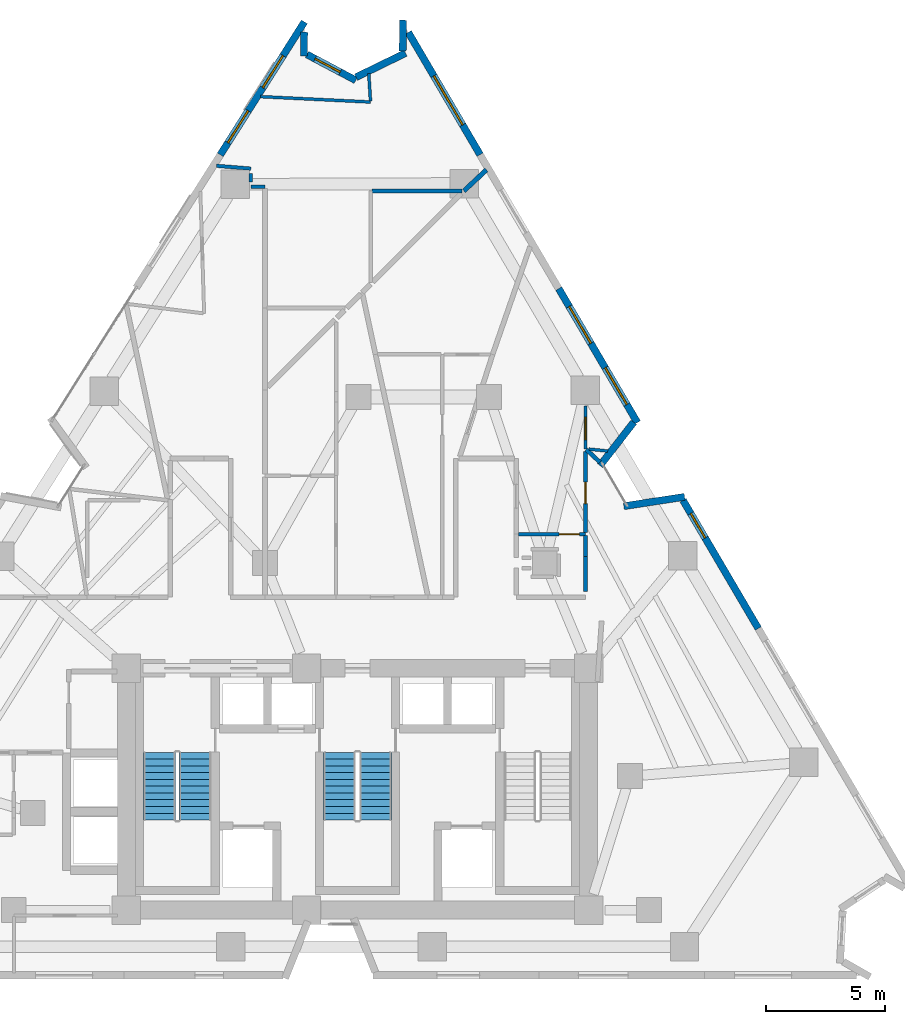
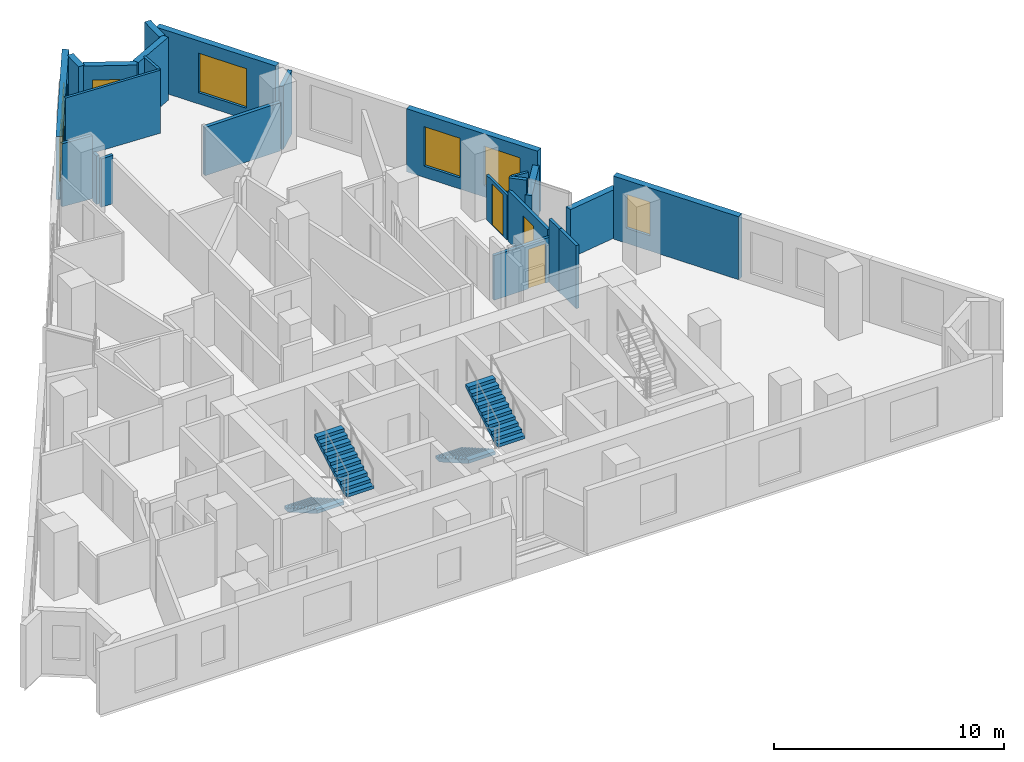
# One storey, part 9 of 12: 24 walls, 7 windows, 4 stair flights, 3 doors, 10 openings, 2 elements without a shape of their own.
"""IFC4 building model written with IfcOpenShell, lengths in metres."""

from ifc_helpers import new_model, si_unit, direction, frame, frame_2d, origin, place, context, subcontext, project, spatial, polyline, rectangle, outline, extrude, material, layer, layer_set, type_object, element, fill, aggregate, save


model = new_model("IFC4")

# Units and contexts
model_context = context("Model", 3, precision=1e-05, world=origin(), true_north=direction((0.0, 1.0)))
body_context = subcontext(model_context, "Body", "Model", "MODEL_VIEW")
ifc_project = project(units=[si_unit("LENGTHUNIT", "METRE"), si_unit("AREAUNIT", "SQUARE_METRE"), si_unit("VOLUMEUNIT", "CUBIC_METRE"), si_unit("PLANEANGLEUNIT", "RADIAN"), si_unit("MASSUNIT", "GRAM", prefix="KILO")], contexts=[model_context])

# Site, building, storey
site_placement = place(None, origin())
site = spatial("IfcSite", under=ifc_project, at=site_placement, CompositionType="ELEMENT")
building_placement = place(site_placement, origin())
building = spatial("IfcBuilding", under=site, at=building_placement, Name="Almagre Mirador Tower", CompositionType="ELEMENT")
storey_placement = place(building_placement, frame((0.0, 0.0, 110.39990234375)))
storey = spatial("IfcBuildingStorey", under=building, at=storey_placement, Name="L27", CompositionType="ELEMENT", Elevation=110.39990234375)

# Wall, openings, windows
ifc_material_1 = material(Name="Precast concrete C50/60", Category="concrete")
ifc_layer_1 = layer(ifc_material_1, 0.300048828125)
ifc_layer_set_1 = layer_set([ifc_layer_1], Name="Precast concrete C50/60")
wall_type_1 = type_object("IfcWallType", Name="WAL-EXT-300", PredefinedType="SOLIDWALL", material=ifc_layer_set_1)
wall_1_placement = place(storey_placement, frame((31.5126953125, 36.4150390625, 0.0), z_axis=(0.0, 0.0, 1.0), x_axis=(0.534892719091, 0.844919983823, 0.0)))
wall_1 = element("IfcWall", 1, at=wall_1_placement, inside=storey, type_object=wall_type_1, Name="L27 expressed almagre precast frame wall 04", PredefinedType="SOLIDWALL", context=body_context, shape_type="SweptSolid", body=[
    extrude(rectangle(XDim=6.6337890625, YDim=0.300048828125, at=frame_2d((3.31689453125, 0.0))), origin(), (0.0, 0.0, 1.0), 3.35009765625),
])
opening_1_placement = place(wall_1_placement, frame((0.60009765625, 0.0, 0.550048828125)))
opening_1 = element("IfcOpeningElement", 2, at=opening_1_placement, cuts=wall_1, Name="Opening WN-06", PredefinedType="OPENING", context=body_context, shape_type="SweptSolid", body=[
    extrude(rectangle(XDim=1.60009765625, YDim=2.199951171875, at=frame_2d((0.800048828125, 1.10009765625))), frame((0.0, 0.159902, 0.0), z_axis=(0.0, -1.0, 0.0), x_axis=(1.0, 0.0, 0.0)), (0.0, 0.0, 1.0), 0.320049),
])
opening_2_placement = place(wall_1_placement, frame((3.35009765625, 0.0, 0.550048828125)))
opening_2 = element("IfcOpeningElement", 3, at=opening_2_placement, cuts=wall_1, Name="Opening WN-06", PredefinedType="OPENING", context=body_context, shape_type="SweptSolid", body=[
    extrude(rectangle(XDim=1.60009765625, YDim=2.199951171875, at=frame_2d((0.800048828125, 1.10009765625))), frame((0.0, 0.159902, 0.0), z_axis=(0.0, -1.0, 0.0), x_axis=(1.0, 0.0, 0.0)), (0.0, 0.0, 1.0), 0.320049),
])
ifc_material_2 = material(Name="Dark solar-control laminated hurricane glass", Category="glass")
window_type_1 = type_object("IfcWindowType", Name="WIN-1600X2200", PartitioningType="DOUBLE_PANEL_VERTICAL", PredefinedType="WINDOW", material=ifc_material_2)
window_1_placement = place(opening_1_placement, origin())
window_1 = element("IfcWindow", 4, at=window_1_placement, inside=storey, type_object=window_type_1, Name="L27 recessed hurricane window L27-UJ-HB", OverallHeight=2.199951171875, OverallWidth=1.60009765625, PartitioningType="SINGLE_PANEL", PredefinedType="WINDOW", context=body_context, shape_type="SweptSolid", body=[
    extrude(rectangle(XDim=1.60009765625, YDim=2.199951171875, at=frame_2d((0.800048828125, 1.10009765625))), frame((0.0, 0.030029296875, 0.0), z_axis=(0.0, -1.0, 0.0), x_axis=(1.0, 0.0, 0.0)), (0.0, 0.0, 1.0), 0.06005859375),
])
fill(opening_1, window_1)
window_2_placement = place(opening_2_placement, origin())
window_2 = element("IfcWindow", 5, at=window_2_placement, inside=storey, type_object=window_type_1, Name="L27 recessed hurricane window L27-UL-KT", OverallHeight=2.199951171875, OverallWidth=1.60009765625, PartitioningType="SINGLE_PANEL", PredefinedType="WINDOW", context=body_context, shape_type="SweptSolid", body=[
    extrude(rectangle(XDim=1.60009765625, YDim=2.199951171875, at=frame_2d((0.800048828125, 1.10009765625))), frame((0.0, 0.030029296875, 0.0), z_axis=(0.0, -1.0, 0.0), x_axis=(1.0, 0.0, 0.0)), (0.0, 0.0, 1.0), 0.06005859375),
])
fill(opening_2, window_2)

# Wall
wall_2_placement = place(storey_placement, frame((35.0537109375, 41.585205078125, 0.0), z_axis=(0.0, 0.0, 1.0), x_axis=(-0.016913964816, -0.999856948665, 0.0)))
element("IfcWall", 6, at=wall_2_placement, inside=storey, type_object=wall_type_1, Name="L27 expressed almagre precast frame wall 05", PredefinedType="SOLIDWALL", context=body_context, shape_type="SweptSolid", body=[
    extrude(rectangle(XDim=1.010498046875, YDim=0.300048828125, at=frame_2d((0.50537109375, 0.0))), origin(), (0.0, 0.0, 1.0), 3.35009765625),
])

# Wall, opening, window
wall_3_placement = place(storey_placement, frame((35.1669921875, 40.647216796875, 0.0), z_axis=(0.0, 0.0, 1.0), x_axis=(0.883555999994, -0.468325522339, 0.0)))
wall_3 = element("IfcWall", 7, at=wall_3_placement, inside=storey, type_object=wall_type_1, Name="L27 expressed almagre precast frame wall 06", PredefinedType="SOLIDWALL", context=body_context, shape_type="SweptSolid", body=[
    extrude(rectangle(XDim=2.331298828125, YDim=0.300048828125, at=frame_2d((1.16552734375, 0.0))), origin(), (0.0, 0.0, 1.0), 3.35009765625),
])
opening_3_placement = place(wall_3_placement, frame((0.389892578125, 0.0, 0.800048828125)))
opening_3 = element("IfcOpeningElement", 8, at=opening_3_placement, cuts=wall_3, Name="Opening WN-04", PredefinedType="OPENING", context=body_context, shape_type="SweptSolid", body=[
    extrude(rectangle(XDim=1.199951171875, YDim=1.800048828125, at=frame_2d((0.60009765625, 0.89990234375))), frame((0.0, 0.159902, 0.0), z_axis=(0.0, -1.0, 0.0), x_axis=(1.0, 0.0, 0.0)), (0.0, 0.0, 1.0), 0.320049),
])
ifc_material_3 = material(Name="Dark solar-control laminated hurricane glass", Category="glass")
window_type_2 = type_object("IfcWindowType", Name="WIN-1200X1800", PartitioningType="SINGLE_PANEL", PredefinedType="WINDOW", material=ifc_material_3)
window_3_placement = place(opening_3_placement, origin())
window_3 = element("IfcWindow", 9, at=window_3_placement, inside=storey, type_object=window_type_2, Name="L27 recessed hurricane window L27-UL-KT", OverallHeight=1.800048828125, OverallWidth=1.199951171875, PartitioningType="SINGLE_PANEL", PredefinedType="WINDOW", context=body_context, shape_type="SweptSolid", body=[
    extrude(rectangle(XDim=1.199951171875, YDim=1.800048828125, at=frame_2d((0.60009765625, 0.89990234375))), frame((0.0, 0.030029296875, 0.0), z_axis=(0.0, -1.0, 0.0), x_axis=(1.0, 0.0, 0.0)), (0.0, 0.0, 1.0), 0.06005859375),
])
fill(opening_3, window_3)

# Walls
wall_4_placement = place(storey_placement, frame((37.2421875, 39.68896484375, 0.0), z_axis=(0.0, 0.0, 1.0), x_axis=(0.898736119344, 0.438489894738, 0.0)))
element("IfcWall", 10, at=wall_4_placement, inside=storey, type_object=wall_type_1, Name="L27 expressed almagre precast frame wall 07", PredefinedType="SOLIDWALL", context=body_context, shape_type="SweptSolid", body=[
    extrude(rectangle(XDim=2.32275390625, YDim=0.300048828125, at=frame_2d((1.161376953125, 0.0))), origin(), (0.0, 0.0, 1.0), 3.35009765625),
])
wall_5_placement = place(storey_placement, frame((39.206298828125, 40.791015625, 0.0), z_axis=(0.0, 0.0, 1.0), x_axis=(0.01614812892, 0.999869610465, 0.0)))
element("IfcWall", 11, at=wall_5_placement, inside=storey, type_object=wall_type_1, Name="L27 expressed almagre precast frame wall 08", PredefinedType="SOLIDWALL", context=body_context, shape_type="SweptSolid", body=[
    extrude(rectangle(XDim=1.30029296875, YDim=0.300048828125, at=frame_2d((0.650146484375, 0.0))), origin(), (0.0, 0.0, 1.0), 3.35009765625),
])

# Wall, opening, window
wall_6_placement = place(storey_placement, frame((39.442626953125, 41.580078125, 0.0), z_axis=(0.0, 0.0, 1.0), x_axis=(0.506342397937, -0.862332520581, 0.0)))
wall_6 = element("IfcWall", 12, at=wall_6_placement, inside=storey, type_object=wall_type_1, Name="L27 expressed almagre precast frame wall 09", PredefinedType="SOLIDWALL", context=body_context, shape_type="SweptSolid", body=[
    extrude(rectangle(XDim=5.983642578125, YDim=0.300048828125, at=frame_2d((2.99169921875, 0.0))), origin(), (0.0, 0.0, 1.0), 3.35009765625),
])
opening_4_placement = place(wall_6_placement, frame((2.1298828125, 0.0, 0.60009765625)))
opening_4 = element("IfcOpeningElement", 13, at=opening_4_placement, cuts=wall_6, Name="Opening WN-02", PredefinedType="OPENING", context=body_context, shape_type="SweptSolid", body=[
    extrude(rectangle(XDim=2.39990234375, YDim=2.10009765625, at=frame_2d((1.199951171875, 1.050048828125))), frame((0.0, 0.159902, 0.0), z_axis=(0.0, -1.0, 0.0), x_axis=(1.0, 0.0, 0.0)), (0.0, 0.0, 1.0), 0.320049),
])
ifc_material_4 = material(Name="Dark solar-control laminated hurricane glass", Category="glass")
window_type_3 = type_object("IfcWindowType", Name="WIN-2400X2100", PartitioningType="TRIPLE_PANEL_VERTICAL", PredefinedType="WINDOW", material=ifc_material_4)
window_4_placement = place(opening_4_placement, origin())
window_4 = element("IfcWindow", 14, at=window_4_placement, inside=storey, type_object=window_type_3, Name="L27 recessed hurricane window L27-UL-MB", OverallHeight=2.10009765625, OverallWidth=2.39990234375, PartitioningType="SINGLE_PANEL", PredefinedType="WINDOW", context=body_context, shape_type="SweptSolid", body=[
    extrude(rectangle(XDim=2.39990234375, YDim=2.10009765625, at=frame_2d((1.199951171875, 1.050048828125))), frame((0.0, 0.030029296875, 0.0), z_axis=(0.0, -1.0, 0.0), x_axis=(1.0, 0.0, 0.0)), (0.0, 0.0, 1.0), 0.06005859375),
])
fill(opening_4, window_4)

# Wall, openings, windows
wall_7_placement = place(storey_placement, frame((45.79052734375, 30.768798828125, 0.0), z_axis=(0.0, 0.0, 1.0), x_axis=(0.506326446954, -0.862341886443, 0.0)))
wall_7 = element("IfcWall", 15, at=wall_7_placement, inside=storey, type_object=wall_type_1, Name="L27 expressed almagre precast frame wall 11", PredefinedType="SOLIDWALL", context=body_context, shape_type="SweptSolid", body=[
    extrude(rectangle(XDim=6.5537109375, YDim=0.300048828125, at=frame_2d((3.27685546875, 0.0))), origin(), (0.0, 0.0, 1.0), 3.35009765625),
])
opening_5_placement = place(wall_7_placement, frame((0.875, 0.0, 0.60009765625)))
opening_5 = element("IfcOpeningElement", 16, at=opening_5_placement, cuts=wall_7, Name="Opening WN-01", PredefinedType="OPENING", context=body_context, shape_type="SweptSolid", body=[
    extrude(rectangle(XDim=1.800048828125, YDim=2.10009765625, at=frame_2d((0.89990234375, 1.050048828125))), frame((0.0, 0.159902, 0.0), z_axis=(0.0, -1.0, 0.0), x_axis=(1.0, 0.0, 0.0)), (0.0, 0.0, 1.0), 0.320049),
])
opening_6_placement = place(wall_7_placement, frame((3.875, 0.0, 0.60009765625)))
opening_6 = element("IfcOpeningElement", 17, at=opening_6_placement, cuts=wall_7, Name="Opening WN-01", PredefinedType="OPENING", context=body_context, shape_type="SweptSolid", body=[
    extrude(rectangle(XDim=1.800048828125, YDim=2.10009765625, at=frame_2d((0.89990234375, 1.050048828125))), frame((0.0, 0.159902, 0.0), z_axis=(0.0, -1.0, 0.0), x_axis=(1.0, 0.0, 0.0)), (0.0, 0.0, 1.0), 0.320049),
])
ifc_material_5 = material(Name="Dark solar-control laminated hurricane glass", Category="glass")
window_type_4 = type_object("IfcWindowType", Name="WIN-1800X2100", PartitioningType="DOUBLE_PANEL_VERTICAL", PredefinedType="WINDOW", material=ifc_material_5)
window_5_placement = place(opening_5_placement, origin())
window_5 = element("IfcWindow", 18, at=window_5_placement, inside=storey, type_object=window_type_4, Name="L27 recessed hurricane window L27-UH-LV", OverallHeight=2.10009765625, OverallWidth=1.800048828125, PartitioningType="SINGLE_PANEL", PredefinedType="WINDOW", context=body_context, shape_type="SweptSolid", body=[
    extrude(rectangle(XDim=1.800048828125, YDim=2.10009765625, at=frame_2d((0.89990234375, 1.050048828125))), frame((0.0, 0.030029296875, 0.0), z_axis=(0.0, -1.0, 0.0), x_axis=(1.0, 0.0, 0.0)), (0.0, 0.0, 1.0), 0.06005859375),
])
fill(opening_5, window_5)
window_6_placement = place(opening_6_placement, origin())
window_6 = element("IfcWindow", 19, at=window_6_placement, inside=storey, type_object=window_type_4, Name="L27 recessed hurricane window L27-UH-KT", OverallHeight=2.10009765625, OverallWidth=1.800048828125, PartitioningType="SINGLE_PANEL", PredefinedType="WINDOW", context=body_context, shape_type="SweptSolid", body=[
    extrude(rectangle(XDim=1.800048828125, YDim=2.10009765625, at=frame_2d((0.89990234375, 1.050048828125))), frame((0.0, 0.030029296875, 0.0), z_axis=(0.0, -1.0, 0.0), x_axis=(1.0, 0.0, 0.0)), (0.0, 0.0, 1.0), 0.06005859375),
])
fill(opening_6, window_6)

# Walls
wall_8_placement = place(storey_placement, frame((48.955078125, 25.131591796875, 0.0), z_axis=(0.0, 0.0, 1.0), x_axis=(-0.614326980446, -0.789051557946, 0.0)))
element("IfcWall", 20, at=wall_8_placement, inside=storey, type_object=wall_type_1, Name="L27 expressed almagre precast frame wall 12", PredefinedType="SOLIDWALL", context=body_context, shape_type="SweptSolid", body=[
    extrude(rectangle(XDim=2.318115234375, YDim=0.300048828125, at=frame_2d((1.1591796875, 0.0))), origin(), (0.0, 0.0, 1.0), 2.5751953125),
])
wall_9_placement = place(storey_placement, frame((48.53662109375, 21.588623046875, 0.0), z_axis=(0.0, 0.0, 1.0), x_axis=(0.988351014823, 0.152191561848, 0.0)))
element("IfcWall", 21, at=wall_9_placement, inside=storey, type_object=wall_type_1, Name="L27 expressed almagre precast frame wall 13", PredefinedType="SOLIDWALL", context=body_context, shape_type="SweptSolid", body=[
    extrude(rectangle(XDim=2.593994140625, YDim=0.300048828125, at=frame_2d((1.296875, 0.0))), origin(), (0.0, 0.0, 1.0), 2.5751953125),
])

# Wall, opening, window
wall_10_placement = place(storey_placement, frame((51.032958984375, 21.84130859375, 0.0), z_axis=(0.0, 0.0, 1.0), x_axis=(0.506317595085, -0.862347083782, 0.0)))
wall_10 = element("IfcWall", 22, at=wall_10_placement, inside=storey, type_object=wall_type_1, Name="L27 expressed almagre precast frame wall 14", PredefinedType="SOLIDWALL", context=body_context, shape_type="SweptSolid", body=[
    extrude(rectangle(XDim=6.273681640625, YDim=0.300048828125, at=frame_2d((3.13671875, 0.0))), origin(), (0.0, 0.0, 1.0), 3.35009765625),
])
opening_7_placement = place(wall_10_placement, frame((0.64501953125, 0.0, 0.800048828125)))
opening_7 = element("IfcOpeningElement", 23, at=opening_7_placement, cuts=wall_10, Name="Opening WN-04", PredefinedType="OPENING", context=body_context, shape_type="SweptSolid", body=[
    extrude(rectangle(XDim=1.199951171875, YDim=1.800048828125, at=frame_2d((0.60009765625, 0.89990234375))), frame((0.0, 0.159902, 0.0), z_axis=(0.0, -1.0, 0.0), x_axis=(1.0, 0.0, 0.0)), (0.0, 0.0, 1.0), 0.320049),
])
window_7_placement = place(opening_7_placement, origin())
window_7 = element("IfcWindow", 24, at=window_7_placement, inside=storey, type_object=window_type_2, Name="L27 recessed hurricane window L27-UH-MB", OverallHeight=1.800048828125, OverallWidth=1.199951171875, PartitioningType="SINGLE_PANEL", PredefinedType="WINDOW", context=body_context, shape_type="SweptSolid", body=[
    extrude(rectangle(XDim=1.199951171875, YDim=1.800048828125, at=frame_2d((0.60009765625, 0.89990234375))), frame((0.0, 0.030029296875, 0.0), z_axis=(0.0, -1.0, 0.0), x_axis=(1.0, 0.0, 0.0)), (0.0, 0.0, 1.0), 0.06005859375),
])
fill(opening_7, window_7)

# Wall, opening, door
ifc_material_6 = material(Name="Gypsum acoustic stud partition", Category="other")
ifc_layer_2 = layer(ifc_material_6, 0.125)
ifc_layer_set_2 = layer_set([ifc_layer_2], Name="Gypsum acoustic stud partition")
wall_type_2 = type_object("IfcWallType", Name="WAL-PRT-125-UTL", PredefinedType="PARTITIONING", material=ifc_layer_set_2)
wall_11_placement = place(storey_placement, frame((46.919921875, 24.010009765625, 0.0), z_axis=(0.0, 0.0, 1.0), x_axis=(0.0, 1.0, 0.0)))
wall_11 = element("IfcWall", 25, at=wall_11_placement, inside=storey, type_object=wall_type_2, Name="L27 interior partition 069", PredefinedType="PARTITIONING", context=body_context, shape_type="SweptSolid", body=[
    extrude(rectangle(XDim=1.81005859375, YDim=0.125, at=frame_2d((0.905029296875, 0.0))), origin(), (0.0, 0.0, 1.0), 2.3720703125),
])
opening_8_placement = place(wall_11_placement, frame((0.3720703125, 0.0, 0.0)))
opening_8 = element("IfcOpeningElement", 26, at=opening_8_placement, cuts=wall_11, Name="Opening UD-01", PredefinedType="OPENING", context=body_context, shape_type="SweptSolid", body=[
    extrude(rectangle(XDim=0.949951171875, YDim=2.199951171875, at=frame_2d((0.47509765625, 1.10009765625))), frame((0.0, 0.0725, 0.0), z_axis=(0.0, -1.0, 0.0), x_axis=(1.0, 0.0, 0.0)), (0.0, 0.0, 1.0), 0.145),
])
ifc_material_7 = material(Name="Solid American walnut timber", Category="wood")
door_type_1 = type_object("IfcDoorType", Name="DOR-UNR-950X2200", OperationType="NOTDEFINED", PredefinedType="DOOR", material=ifc_material_7)
door_1_placement = place(opening_8_placement, origin())
door_1 = element("IfcDoor", 27, at=door_1_placement, inside=storey, type_object=door_type_1, Name="DR-0896 L27 interior door L27-UH-LV to L27-UH-KT", OperationType="SINGLE_SWING_RIGHT", OverallHeight=2.199951171875, OverallWidth=0.949951171875, PredefinedType="DOOR", context=body_context, shape_type="SweptSolid", body=[
    extrude(rectangle(XDim=0.949951171875, YDim=2.199951171875, at=frame_2d((0.47509765625, 1.10009765625))), frame((0.0, 0.02490234375, 0.0), z_axis=(0.0, -1.0, 0.0), x_axis=(1.0, 0.0, 0.0)), (0.0, 0.0, 1.0), 0.050048828125),
])
fill(opening_8, door_1)

# Walls
wall_12_placement = place(storey_placement, frame((47.06689453125, 23.9970703125, 0.0), z_axis=(0.0, 0.0, 1.0), x_axis=(0.99466575773, -0.103150523024, 0.0)))
element("IfcWall", 28, at=wall_12_placement, inside=storey, type_object=wall_type_2, Name="L27 interior partition 074", PredefinedType="PARTITIONING", context=body_context, shape_type="SweptSolid", body=[
    extrude(rectangle(XDim=0.795166015625, YDim=0.125, at=frame_2d((0.3974609375, 0.0))), origin(), (0.0, 0.0, 1.0), 3.35009765625),
])
wall_13_placement = place(storey_placement, frame((37.85009765625, 38.639892578125, 0.0), z_axis=(0.0, 0.0, 1.0), x_axis=(-0.998808611293, 0.04879915989, 0.0)))
element("IfcWall", 29, at=wall_13_placement, inside=storey, type_object=wall_type_2, Name="L27 interior partition 089", PredefinedType="PARTITIONING", context=body_context, shape_type="SweptSolid", body=[
    extrude(rectangle(XDim=4.65283203125, YDim=0.125, at=frame_2d((2.326416015625, 0.0))), origin(), (0.0, 0.0, 1.0), 3.35009765625),
])
wall_14_placement = place(storey_placement, frame((37.84765625, 38.6875, 0.0), z_axis=(0.0, 0.0, 1.0), x_axis=(-0.061621436475, 0.998099593511, 0.0)))
element("IfcWall", 30, at=wall_14_placement, inside=storey, type_object=wall_type_2, Name="L27 interior partition 092", PredefinedType="PARTITIONING", context=body_context, shape_type="SweptSolid", body=[
    extrude(rectangle(XDim=1.164794921875, YDim=0.125, at=frame_2d((0.58251953125, 0.0))), origin(), (0.0, 0.0, 1.0), 3.35009765625),
])

# Wall, opening, door
ifc_material_8 = material(Name="Gypsum acoustic stud partition", Category="other")
ifc_layer_3 = layer(ifc_material_8, 0.14990234375)
ifc_layer_set_3 = layer_set([ifc_layer_3], Name="Gypsum acoustic stud partition")
wall_type_3 = type_object("IfcWallType", Name="WAL-PRT-150-STD", PredefinedType="PARTITIONING", material=ifc_layer_set_3)
wall_15_placement = place(storey_placement, frame((44.0849609375, 20.409912109375, 0.0), z_axis=(0.0, 0.0, 1.0), x_axis=(1.0, 0.0, 0.0)))
wall_15 = element("IfcWall", 31, at=wall_15_placement, inside=storey, type_object=wall_type_3, Name="L27 interior partition 068", PredefinedType="PARTITIONING", context=body_context, shape_type="SweptSolid", body=[
    extrude(rectangle(XDim=2.8349609375, YDim=0.14990234375, at=frame_2d((1.41748046875, 0.0))), origin(), (0.0, 0.0, 1.0), 2.3720703125),
])
opening_9_placement = place(wall_15_placement, frame((1.7255859375, 0.0, 0.0)))
opening_9 = element("IfcOpeningElement", 32, at=opening_9_placement, cuts=wall_15, Name="Opening UD-04", PredefinedType="OPENING", context=body_context, shape_type="SweptSolid", body=[
    extrude(rectangle(XDim=0.85009765625, YDim=2.10009765625, at=frame_2d((0.425048828125, 1.050048828125))), frame((0.0, 0.084951, 0.0), z_axis=(0.0, -1.0, 0.0), x_axis=(1.0, 0.0, 0.0)), (0.0, 0.0, 1.0), 0.169902),
])
ifc_material_9 = material(Name="Moisture-resistant oak timber", Category="wood")
door_type_2 = type_object("IfcDoorType", Name="DOR-UNR-850X2100", OperationType="NOTDEFINED", PredefinedType="DOOR", material=ifc_material_9)
door_2_placement = place(opening_9_placement, origin())
door_2 = element("IfcDoor", 33, at=door_2_placement, inside=storey, type_object=door_type_2, Name="DR-0897 L27 interior door L27-UH-LV to L27-UH-HB", OperationType="SINGLE_SWING_LEFT", OverallHeight=2.10009765625, OverallWidth=0.85009765625, PredefinedType="DOOR", context=body_context, shape_type="SweptSolid", body=[
    extrude(rectangle(XDim=0.85009765625, YDim=2.10009765625, at=frame_2d((0.425048828125, 1.050048828125))), frame((0.0, 0.02490234375, 0.0), z_axis=(0.0, -1.0, 0.0), x_axis=(1.0, 0.0, 0.0)), (0.0, 0.0, 1.0), 0.050048828125),
])
fill(opening_9, door_2)

wall_16_placement = place(storey_placement, frame((46.919921875, 20.469970703125, 0.0), z_axis=(0.0, 0.0, 1.0), x_axis=(0.0, 1.0, 0.0)))
wall_16 = element("IfcWall", 34, at=wall_16_placement, inside=storey, type_object=wall_type_3, Name="L27 interior partition 070", PredefinedType="PARTITIONING", context=body_context, shape_type="SweptSolid", body=[
    extrude(rectangle(XDim=3.425048828125, YDim=0.14990234375, at=frame_2d((1.71240234375, 0.0))), origin(), (0.0, 0.0, 1.0), 2.708984375),
])
opening_10_placement = place(wall_16_placement, frame((1.232421875, 0.0, 0.0)))
opening_10 = element("IfcOpeningElement", 35, at=opening_10_placement, cuts=wall_16, Name="Opening UD-02", PredefinedType="OPENING", context=body_context, shape_type="SweptSolid", body=[
    extrude(rectangle(XDim=0.89990234375, YDim=2.14990234375, at=frame_2d((0.449951171875, 1.074951171875))), frame((0.0, 0.084951, 0.0), z_axis=(0.0, -1.0, 0.0), x_axis=(1.0, 0.0, 0.0)), (0.0, 0.0, 1.0), 0.169902),
])
ifc_material_10 = material(Name="Solid American walnut timber", Category="wood")
door_type_3 = type_object("IfcDoorType", Name="DOR-UNR-900X2150", OperationType="NOTDEFINED", PredefinedType="DOOR", material=ifc_material_10)
door_3_placement = place(opening_10_placement, origin())
door_3 = element("IfcDoor", 36, at=door_3_placement, inside=storey, type_object=door_type_3, Name="DR-0898 L27 interior door L27-UH-LV to L27-UH-MB", OperationType="SINGLE_SWING_RIGHT", OverallHeight=2.14990234375, OverallWidth=0.89990234375, PredefinedType="DOOR", context=body_context, shape_type="SweptSolid", body=[
    extrude(rectangle(XDim=0.89990234375, YDim=2.14990234375, at=frame_2d((0.449951171875, 1.074951171875))), frame((0.0, 0.02490234375, 0.0), z_axis=(0.0, -1.0, 0.0), x_axis=(1.0, 0.0, 0.0)), (0.0, 0.0, 1.0), 0.050048828125),
])
fill(opening_10, door_3)

# Walls
wall_17_placement = place(storey_placement, frame((46.919921875, 19.4599609375, 0.0), z_axis=(0.0, 0.0, 1.0), x_axis=(0.0, 1.0, 0.0)))
element("IfcWall", 37, at=wall_17_placement, inside=storey, type_object=wall_type_3, Name="L27 interior partition 073", PredefinedType="PARTITIONING", context=body_context, shape_type="SweptSolid", body=[
    extrude(rectangle(XDim=0.89013671875, YDim=0.14990234375, at=frame_2d((0.445068359375, 0.0))), origin(), (0.0, 0.0, 1.0), 3.35009765625),
])
wall_18_placement = place(storey_placement, frame((33.39990234375, 35.06005859375, 0.0), z_axis=(0.0, 0.0, 1.0), x_axis=(-1.0, 0.0, 0.0)))
element("IfcWall", 38, at=wall_18_placement, inside=storey, type_object=wall_type_3, Name="L27 interior partition 075", PredefinedType="PARTITIONING", context=body_context, shape_type="SweptSolid", body=[
    extrude(rectangle(XDim=0.599853515625, YDim=0.14990234375, at=frame_2d((0.2998046875, 0.0))), origin(), (0.0, 0.0, 1.0), 2.570068359375),
])
wall_19_placement = place(storey_placement, frame((46.919921875, 17.989990234375, 0.0), z_axis=(0.0, 0.0, 1.0), x_axis=(0.0, 1.0, 0.0)))
element("IfcWall", 39, at=wall_19_placement, inside=storey, type_object=wall_type_3, Name="L27 interior partition 105", PredefinedType="PARTITIONING", context=body_context, shape_type="SweptSolid", body=[
    extrude(rectangle(XDim=1.469970703125, YDim=0.14990234375, at=frame_2d((0.73486328125, 0.0))), origin(), (0.0, 0.0, 1.0), 3.35009765625),
])
wall_20_placement = place(storey_placement, frame((31.346923828125, 35.948974609375, 0.0), z_axis=(0.0, 0.0, 1.0), x_axis=(0.996669356606, -0.081548719198, 0.0)))
element("IfcWall", 40, at=wall_20_placement, inside=storey, type_object=wall_type_3, Name="L27 interior partition 108", PredefinedType="PARTITIONING", context=body_context, shape_type="SweptSolid", body=[
    extrude(rectangle(XDim=1.4580078125, YDim=0.14990234375, at=frame_2d((0.72900390625, 0.0))), origin(), (0.0, 0.0, 1.0), 3.35009765625),
])
wall_21_placement = place(storey_placement, frame((32.800048828125, 35.614990234375, 0.0), z_axis=(0.0, 0.0, 1.0), x_axis=(0.0, -1.0, 0.0)))
element("IfcWall", 41, at=wall_21_placement, inside=storey, type_object=wall_type_3, Name="L27 interior partition 109", PredefinedType="PARTITIONING", context=body_context, shape_type="SweptSolid", body=[
    extrude(rectangle(XDim=0.340087890625, YDim=0.14990234375, at=frame_2d((0.169921875, 0.0))), origin(), (0.0, 0.0, 1.0), 2.570068359375),
])
ifc_material_11 = material(Name="Gypsum acoustic stud partition", Category="other")
ifc_layer_4 = layer(ifc_material_11, 0.175048828125)
ifc_layer_set_4 = layer_set([ifc_layer_4], Name="Gypsum acoustic stud partition")
wall_type_4 = type_object("IfcWallType", Name="WAL-PRT-175-AC", PredefinedType="PARTITIONING", material=ifc_layer_set_4)
wall_22_placement = place(storey_placement, frame((37.909912109375, 34.889892578125, 0.0), z_axis=(0.0, 0.0, 1.0), x_axis=(1.0, 0.0, 0.0)))
element("IfcWall", 42, at=wall_22_placement, inside=storey, type_object=wall_type_4, Name="L27 interior partition 093", PredefinedType="PARTITIONING", context=body_context, shape_type="SweptSolid", body=[
    extrude(rectangle(XDim=3.795166015625, YDim=0.175048828125, at=frame_2d((1.8974609375, 0.0))), origin(), (0.0, 0.0, 1.0), 2.570068359375),
])
wall_23_placement = place(storey_placement, frame((47.528076171875, 23.443115234375, 0.0), z_axis=(0.0, 0.0, 1.0), x_axis=(-0.731583247314, 0.681752119358, 0.0)))
element("IfcWall", 43, at=wall_23_placement, inside=storey, type_object=wall_type_4, Name="L27 interior partition 096", PredefinedType="PARTITIONING", context=body_context, shape_type="SweptSolid", body=[
    extrude(rectangle(XDim=0.783935546875, YDim=0.175048828125, at=frame_2d((0.39208984375, 0.0))), origin(), (0.0, 0.0, 1.0), 3.35009765625),
])
ifc_material_12 = material(Name="Gypsum acoustic stud partition", Category="other")
ifc_layer_5 = layer(ifc_material_12, 0.199951171875)
ifc_layer_set_5 = layer_set([ifc_layer_5], Name="Gypsum acoustic stud partition")
wall_type_5 = type_object("IfcWallType", Name="WAL-PRT-200-EI60", PredefinedType="PARTITIONING", material=ifc_layer_set_5)
wall_24_placement = place(storey_placement, frame((42.738037109375, 35.779052734375, 0.0), z_axis=(0.0, 0.0, 1.0), x_axis=(-0.729379024936, -0.684109814272, 0.0)))
element("IfcWall", 44, at=wall_24_placement, inside=storey, type_object=wall_type_5, Name="L27 interior partition 086", PredefinedType="PARTITIONING", context=body_context, shape_type="SweptSolid", body=[
    extrude(rectangle(XDim=1.2998046875, YDim=0.199951171875, at=frame_2d((0.64990234375, 0.0))), origin(), (0.0, 0.0, 1.0), 3.35009765625),
])

# Stair, stair flights
ifc_material_13 = material(Name="Concrete C45/55", Category="concrete")
stair_type = type_object("IfcStairType", Name="STR-DL-3600", PredefinedType="HALF_TURN_STAIR", material=ifc_material_13)
stair_1_placement = place(storey_placement, origin())
stair_1 = element("IfcStair", 45, at=stair_1_placement, inside=storey, type_object=stair_type, Name="L27 Protected exit stair ST-1", PredefinedType="HALF_TURN_STAIR")
ifc_material_14 = material(Name="Concrete C45/55", Category="concrete")
stair_flight_type = type_object("IfcStairFlightType", Name="FLT-DL-3600", PredefinedType="STRAIGHT", material=ifc_material_14)
stair_flight_1_placement = place(storey_placement, frame((28.949951171875, 11.199951171875, 0.0), z_axis=(0.0, 0.0, 1.0), x_axis=(0.0, -1.0, 0.0)))
stair_flight_1 = element("IfcStairFlight", 46, at=stair_flight_1_placement, type_object=stair_flight_type, Name="ST-1 flight 1", NumberOfRisers=11, NumberOfTreads=10, PredefinedType="STRAIGHT", RiserHeight=0.163636364, TreadLength=0.285, context=body_context, shape_type="SweptSolid", body=[
    extrude(outline(polyline([(0.0, 0.0), (0.0, 0.16357421875), (0.284912109375, 0.16357421875), (0.284912109375, 0.327392578125), (0.570068359375, 0.327392578125), (0.570068359375, 0.490966796875), (0.85498046875, 0.490966796875), (0.85498046875, 0.654541015625), (1.139892578125, 0.654541015625), (1.139892578125, 0.818115234375), (1.425048828125, 0.818115234375), (1.425048828125, 0.98193359375), (1.7099609375, 0.98193359375), (1.7099609375, 1.1455078125), (1.9951171875, 1.1455078125), (1.9951171875, 1.30908203125), (2.280029296875, 1.30908203125), (2.280029296875, 1.47265625), (2.56494140625, 1.47265625), (2.56494140625, 1.636474609375), (2.85009765625, 1.636474609375), (2.85009765625, 1.800048828125), (2.85009765625, 1.463623046875), (0.301025390625, 0.0), (0.0, 0.0)])), frame((0.0, 0.675048828125, 0.0), z_axis=(0.0, -1.0, 0.0), x_axis=(1.0, 0.0, 0.0)), (0.0, 0.0, 1.0), 1.35009765625),
])
stair_flight_2_placement = place(storey_placement, frame((30.449951171875, 8.35009765625, 1.800048828125), z_axis=(0.0, 0.0, 1.0), x_axis=(0.0, 1.0, 0.0)))
stair_flight_2 = element("IfcStairFlight", 47, at=stair_flight_2_placement, type_object=stair_flight_type, Name="ST-1 flight 2", NumberOfRisers=11, NumberOfTreads=10, PredefinedType="STRAIGHT", RiserHeight=0.163636364, TreadLength=0.285, context=body_context, shape_type="SweptSolid", body=[
    extrude(outline(polyline([(0.0, 0.0), (0.0, 0.16357421875), (0.284912109375, 0.16357421875), (0.284912109375, 0.327392578125), (0.570068359375, 0.327392578125), (0.570068359375, 0.490966796875), (0.85498046875, 0.490966796875), (0.85498046875, 0.654541015625), (1.139892578125, 0.654541015625), (1.139892578125, 0.818115234375), (1.425048828125, 0.818115234375), (1.425048828125, 0.98193359375), (1.7099609375, 0.98193359375), (1.7099609375, 1.1455078125), (1.9951171875, 1.1455078125), (1.9951171875, 1.30908203125), (2.280029296875, 1.30908203125), (2.280029296875, 1.47265625), (2.56494140625, 1.47265625), (2.56494140625, 1.636474609375), (2.85009765625, 1.636474609375), (2.85009765625, 1.800048828125), (2.85009765625, 1.463623046875), (0.301025390625, 0.0), (0.0, 0.0)])), frame((0.0, 0.675048828125, 0.0), z_axis=(0.0, -1.0, 0.0), x_axis=(1.0, 0.0, 0.0)), (0.0, 0.0, 1.0), 1.35009765625),
])
aggregate(stair_1, [stair_flight_1, stair_flight_2])

stair_2_placement = place(storey_placement, origin())
stair_2 = element("IfcStair", 48, at=stair_2_placement, inside=storey, type_object=stair_type, Name="L27 Protected exit stair ST-2", PredefinedType="HALF_TURN_STAIR")
stair_flight_3_placement = place(storey_placement, frame((36.550048828125, 11.199951171875, 0.0), z_axis=(0.0, 0.0, 1.0), x_axis=(0.0, -1.0, 0.0)))
stair_flight_3 = element("IfcStairFlight", 49, at=stair_flight_3_placement, type_object=stair_flight_type, Name="ST-2 flight 1", NumberOfRisers=11, NumberOfTreads=10, PredefinedType="STRAIGHT", RiserHeight=0.163636364, TreadLength=0.285, context=body_context, shape_type="SweptSolid", body=[
    extrude(outline(polyline([(0.0, 0.0), (0.0, 0.16357421875), (0.284912109375, 0.16357421875), (0.284912109375, 0.327392578125), (0.570068359375, 0.327392578125), (0.570068359375, 0.490966796875), (0.85498046875, 0.490966796875), (0.85498046875, 0.654541015625), (1.139892578125, 0.654541015625), (1.139892578125, 0.818115234375), (1.425048828125, 0.818115234375), (1.425048828125, 0.98193359375), (1.7099609375, 0.98193359375), (1.7099609375, 1.1455078125), (1.9951171875, 1.1455078125), (1.9951171875, 1.30908203125), (2.280029296875, 1.30908203125), (2.280029296875, 1.47265625), (2.56494140625, 1.47265625), (2.56494140625, 1.636474609375), (2.85009765625, 1.636474609375), (2.85009765625, 1.800048828125), (2.85009765625, 1.463623046875), (0.301025390625, 0.0), (0.0, 0.0)])), frame((0.0, 0.675048828125, 0.0), z_axis=(0.0, -1.0, 0.0), x_axis=(1.0, 0.0, 0.0)), (0.0, 0.0, 1.0), 1.35009765625),
])
stair_flight_4_placement = place(storey_placement, frame((38.050048828125, 8.35009765625, 1.800048828125), z_axis=(0.0, 0.0, 1.0), x_axis=(0.0, 1.0, 0.0)))
stair_flight_4 = element("IfcStairFlight", 50, at=stair_flight_4_placement, type_object=stair_flight_type, Name="ST-2 flight 2", NumberOfRisers=11, NumberOfTreads=10, PredefinedType="STRAIGHT", RiserHeight=0.163636364, TreadLength=0.285, context=body_context, shape_type="SweptSolid", body=[
    extrude(outline(polyline([(0.0, 0.0), (0.0, 0.16357421875), (0.284912109375, 0.16357421875), (0.284912109375, 0.327392578125), (0.570068359375, 0.327392578125), (0.570068359375, 0.490966796875), (0.85498046875, 0.490966796875), (0.85498046875, 0.654541015625), (1.139892578125, 0.654541015625), (1.139892578125, 0.818115234375), (1.425048828125, 0.818115234375), (1.425048828125, 0.98193359375), (1.7099609375, 0.98193359375), (1.7099609375, 1.1455078125), (1.9951171875, 1.1455078125), (1.9951171875, 1.30908203125), (2.280029296875, 1.30908203125), (2.280029296875, 1.47265625), (2.56494140625, 1.47265625), (2.56494140625, 1.636474609375), (2.85009765625, 1.636474609375), (2.85009765625, 1.800048828125), (2.85009765625, 1.463623046875), (0.301025390625, 0.0), (0.0, 0.0)])), frame((0.0, 0.675048828125, 0.0), z_axis=(0.0, -1.0, 0.0), x_axis=(1.0, 0.0, 0.0)), (0.0, 0.0, 1.0), 1.35009765625),
])
aggregate(stair_2, [stair_flight_3, stair_flight_4])

save(model, "model.ifc")
